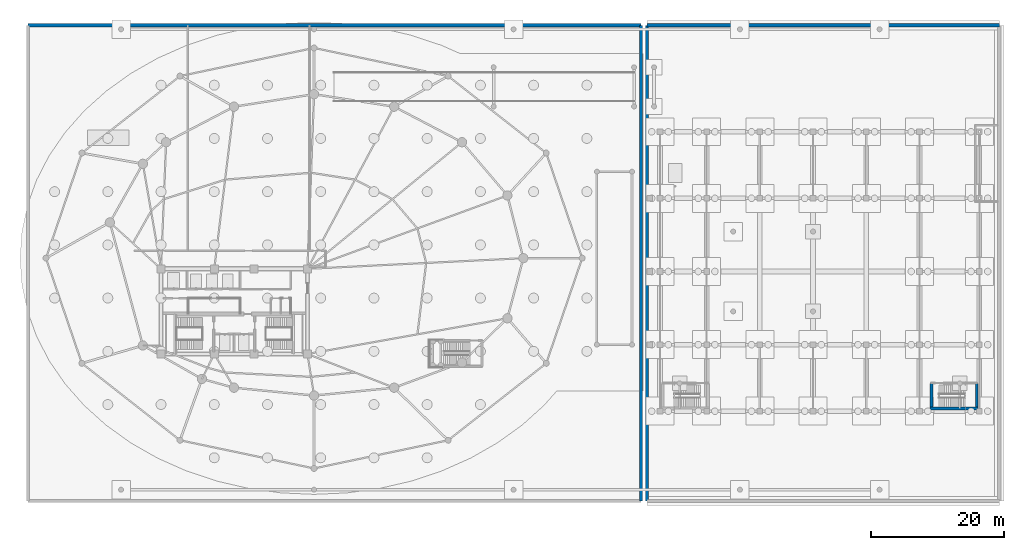
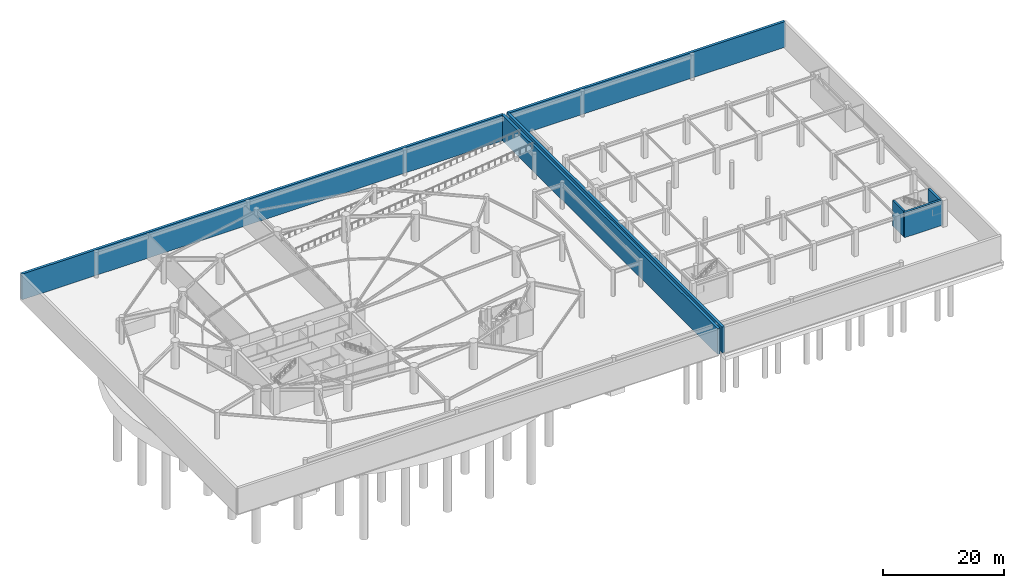
# One storey, part 12 of 22: 7 walls.
"""IFC4 building model written with IfcOpenShell, lengths in metres."""

from ifc_helpers import new_model, si_unit, direction, frame, frame_2d, origin, place, context, subcontext, project, spatial, rectangle, extrude, material, layer, layer_set, type_object, element, save


model = new_model("IFC4")

# Units and contexts
model_context = context("Model", 3, precision=1e-05, world=origin(), true_north=direction((0.0, 1.0)))
body_context = subcontext(model_context, "Body", "Model", "MODEL_VIEW")
ifc_project = project(units=[si_unit("LENGTHUNIT", "METRE"), si_unit("AREAUNIT", "SQUARE_METRE"), si_unit("VOLUMEUNIT", "CUBIC_METRE"), si_unit("PLANEANGLEUNIT", "RADIAN"), si_unit("MASSUNIT", "GRAM", prefix="KILO")], contexts=[model_context])

# Site, building, storey
site_placement = place(None, origin())
site = spatial("IfcSite", under=ifc_project, at=site_placement, CompositionType="ELEMENT")
building_placement = place(site_placement, origin())
building = spatial("IfcBuilding", under=site, at=building_placement, Name="Kazevale Care Tower and Concert Hall", CompositionType="ELEMENT")
storey_placement = place(building_placement, frame((0.0, 0.0, -5.39990234375)))
storey = spatial("IfcBuildingStorey", under=building, at=storey_placement, Name="B1", CompositionType="ELEMENT", Elevation=-5.39990234375)

# Walls
ifc_material = material(Name="Concrete C50", Category="concrete")
ifc_layer_1 = layer(ifc_material, 0.5)
ifc_layer_set_1 = layer_set([ifc_layer_1], Name="Concrete C50")
wall_type_1 = type_object("IfcWallType", Name="Basement Perimeter Retaining Wall 500 C50", PredefinedType="SHEAR", material=ifc_layer_set_1)
wall_1_placement = place(storey_placement, frame((94.14990234375, 1.5, 0.0), z_axis=(0.0, 0.0, 1.0), x_axis=(0.0, 1.0, 0.0)))
element("IfcWall", 1, at=wall_1_placement, inside=storey, type_object=wall_type_1, Name="wall:B1:ret:2", PredefinedType="SHEAR", context=body_context, shape_type="SweptSolid", body=[
    extrude(rectangle(XDim=71.5, YDim=0.5, at=frame_2d((35.75, 0.0))), origin(), (0.0, 0.0, 1.0), 5.199951171875),
])
wall_2_placement = place(storey_placement, frame((94.14990234375, 73.0, 0.0), z_axis=(0.0, 0.0, 1.0), x_axis=(-1.0, 0.0, 0.0)))
element("IfcWall", 2, at=wall_2_placement, inside=storey, type_object=wall_type_1, Name="wall:B1:ret:3", PredefinedType="SHEAR", context=body_context, shape_type="SweptSolid", body=[
    extrude(rectangle(XDim=92.14990234375, YDim=0.5, at=frame_2d((46.074951171875, 0.0))), origin(), (0.0, 0.0, 1.0), 5.199951171875),
])
wall_3_placement = place(storey_placement, frame((148.0, 73.0, 0.0), z_axis=(0.0, 0.0, 1.0), x_axis=(-1.0, 0.0, 0.0)))
element("IfcWall", 3, at=wall_3_placement, inside=storey, type_object=wall_type_1, Name="wall:B1:ret:7", PredefinedType="SHEAR", context=body_context, shape_type="SweptSolid", body=[
    extrude(rectangle(XDim=52.949951171875, YDim=0.5, at=frame_2d((26.47509765625, 0.0))), origin(), (0.0, 0.0, 1.0), 5.199951171875),
])
wall_4_placement = place(storey_placement, frame((95.050048828125, 73.0, 0.0), z_axis=(0.0, 0.0, 1.0), x_axis=(0.0, -1.0, 0.0)))
element("IfcWall", 4, at=wall_4_placement, inside=storey, type_object=wall_type_1, Name="wall:B1:ret:8", PredefinedType="SHEAR", context=body_context, shape_type="SweptSolid", body=[
    extrude(rectangle(XDim=71.5, YDim=0.5, at=frame_2d((35.75, 0.0))), origin(), (0.0, 0.0, 1.0), 5.199951171875),
])
ifc_layer_2 = layer(ifc_material, 0.39990234375)
ifc_layer_set_2 = layer_set([ifc_layer_2], Name="Concrete C50")
wall_type_2 = type_object("IfcWallType", Name="Concert Hall Shear Core Wall 400 C50", PredefinedType="SHEAR", material=ifc_layer_set_2)
wall_5_placement = place(storey_placement, frame((137.60009765625, 15.39990234375, 0.0), z_axis=(0.0, 0.0, 1.0), x_axis=(1.0, 0.0, 0.0)))
element("IfcWall", 5, at=wall_5_placement, inside=storey, type_object=wall_type_2, Name="wall:B1:ST5:S", PredefinedType="SHEAR", context=body_context, shape_type="SweptSolid", body=[
    extrude(rectangle(XDim=7.199951171875, YDim=0.39990234375, at=frame_2d((3.60009765625, 0.0))), origin(), (0.0, 0.0, 1.0), 5.119873046875),
])
for number, where, z_axis, x_axis, name in (
    (6, (137.800048828125, 15.60009765625, 0.0), (0.0, 0.0, 1.0), (0.0, 1.0, 0.0), "wall:B1:ST5:W"),
    (7, (144.60009765625, 15.60009765625, 0.0), (0.0, 0.0, 1.0), (0.0, 1.0, 0.0), "wall:B1:ST5:E"),
):
    element("IfcWall", number, at=place(storey_placement, frame(where, z_axis=z_axis, x_axis=x_axis)), inside=storey, type_object=wall_type_2, Name=name, PredefinedType="SHEAR", context=body_context, shape_type="SweptSolid", body=[
        extrude(rectangle(XDim=3.599853515625, YDim=0.39990234375, at=frame_2d((1.7998046875, 0.0))), origin(), (0.0, 0.0, 1.0), 5.119873046875),
    ])

save(model, "model.ifc")
